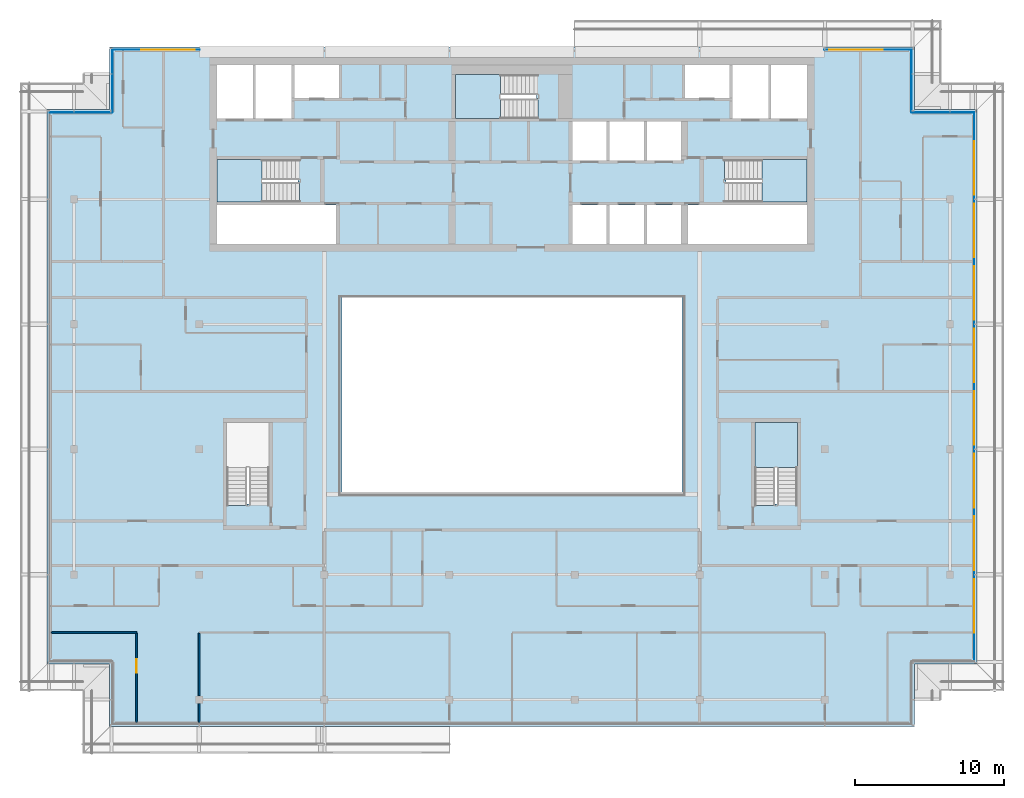
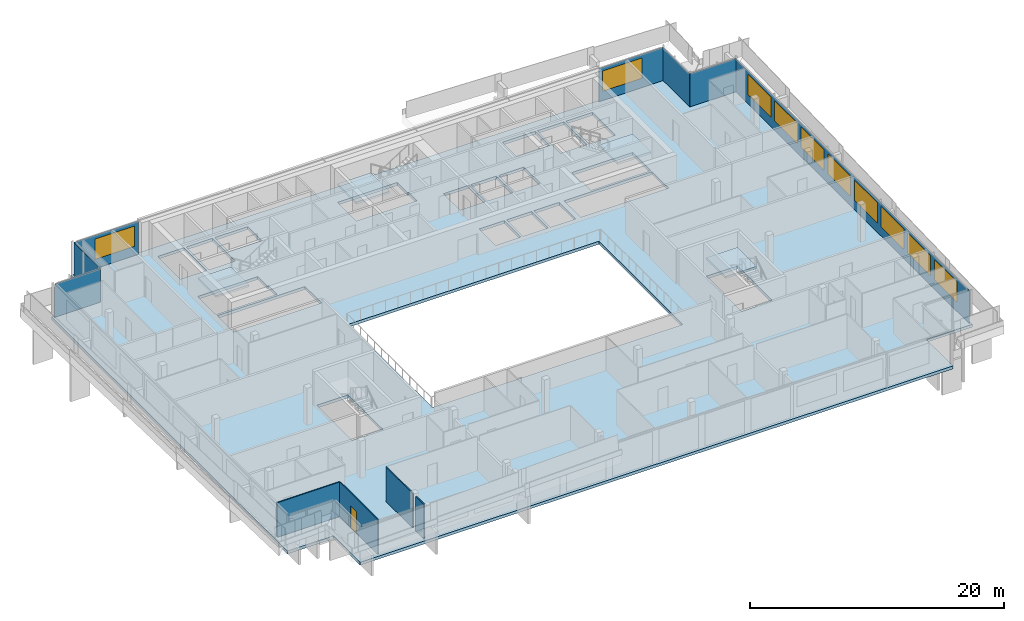
# One storey, part 14 of 27: 10 windows, 7 plates, 5 slabs, 4 walls, 1 door, 11 openings, 10 elements without a shape of their own.
"""IFC4 building model written with IfcOpenShell, lengths in metres."""

from ifc_helpers import new_model, si_unit, direction, frame, frame_2d, origin, place, context, subcontext, project, spatial, polyline, rectangle, outline, extrude, material, layer, layer_set, type_object, element, fill, aggregate, save


model = new_model("IFC4")

# Units and contexts
model_context = context("Model", 3, precision=1e-05, world=origin(), true_north=direction((0.0, 1.0)))
body_context = subcontext(model_context, "Body", "Model", "MODEL_VIEW")
ifc_project = project(units=[si_unit("LENGTHUNIT", "METRE"), si_unit("AREAUNIT", "SQUARE_METRE"), si_unit("VOLUMEUNIT", "CUBIC_METRE"), si_unit("PLANEANGLEUNIT", "RADIAN"), si_unit("MASSUNIT", "GRAM", prefix="KILO")], contexts=[model_context])

# Site, building, storey
site_placement = place(None, origin())
site = spatial("IfcSite", under=ifc_project, at=site_placement, CompositionType="ELEMENT")
building_placement = place(site_placement, origin())
building = spatial("IfcBuilding", under=site, at=building_placement, Name="Saffron Gate Tower", CompositionType="ELEMENT")
storey_placement = place(building_placement, frame((0.0, 0.0, 274.35009765625)))
storey = spatial("IfcBuildingStorey", under=building, at=storey_placement, Name="L66", CompositionType="ELEMENT", Elevation=274.35009765625)

# Curtain wall, plate, openings, windows
ifc_material_1 = material(Name="Aluminium, bronze anodised", Category="aluminium")
curtain_wall_type_1 = type_object("IfcCurtainWallType", Name="CWS2 curtain wall side facades", PredefinedType="NOTDEFINED", material=ifc_material_1)
curtain_wall_1_placement = place(storey_placement, origin())
curtain_wall_1 = element("IfcCurtainWall", 1, at=curtain_wall_1_placement, inside=storey, type_object=curtain_wall_type_1, Name="CWS2 run 4", PredefinedType="NOTDEFINED")
ifc_material_2 = material(Name="Fritted bronze-tinted laminated glass", Category="glass")
ifc_layer_1 = layer(ifc_material_2, 0.028076171875)
ifc_layer_set_1 = layer_set([ifc_layer_1], Name="CWS2 fixed glass")
plate_type_1 = type_object("IfcPlateType", Name="CWS2 fixed glass", PredefinedType="CURTAIN_PANEL", material=ifc_layer_set_1)
plate_1_placement = place(storey_placement, frame((118.6259765625, 34.387939453125, 0.0), z_axis=(0.0, 0.0, 1.0), x_axis=(0.0, 1.0, 0.0)))
plate_1 = element("IfcPlate", 2, at=plate_1_placement, type_object=plate_type_1, Name="CWS2 glass panel", PredefinedType="CURTAIN_PANEL", context=body_context, shape_type="SweptSolid", body=[
    extrude(rectangle(XDim=36.823974609375, YDim=0.028076171875, at=frame_2d((18.412109375, 0.0))), origin(), (0.0, 0.0, 1.0), 3.199951171875),
])
opening_1_placement = place(plate_1_placement, frame((1.912109375, 0.0, 0.89990234375)))
opening_1 = element("IfcOpeningElement", 3, at=opening_1_placement, cuts=plate_1, Name="Opening W1", PredefinedType="OPENING", context=body_context, shape_type="SweptSolid", body=[
    extrude(rectangle(XDim=3.60009765625, YDim=1.949951171875, at=frame_2d((1.800048828125, 0.97509765625))), frame((0.0, 0.02392578125, 0.0), z_axis=(0.0, -1.0, 0.0), x_axis=(1.0, 0.0, 0.0)), (0.0, 0.0, 1.0), 0.048095703125),
])
opening_2_placement = place(plate_1_placement, frame((6.112060546875, 0.0, 0.89990234375)))
opening_2 = element("IfcOpeningElement", 4, at=opening_2_placement, cuts=plate_1, Name="Opening W1", PredefinedType="OPENING", context=body_context, shape_type="SweptSolid", body=[
    extrude(rectangle(XDim=3.60009765625, YDim=1.949951171875, at=frame_2d((1.800048828125, 0.97509765625))), frame((0.0, 0.02392578125, 0.0), z_axis=(0.0, -1.0, 0.0), x_axis=(1.0, 0.0, 0.0)), (0.0, 0.0, 1.0), 0.048095703125),
])
opening_3_placement = place(plate_1_placement, frame((10.31201171875, 0.0, 0.89990234375)))
opening_3 = element("IfcOpeningElement", 5, at=opening_3_placement, cuts=plate_1, Name="Opening W1", PredefinedType="OPENING", context=body_context, shape_type="SweptSolid", body=[
    extrude(rectangle(XDim=3.60009765625, YDim=1.949951171875, at=frame_2d((1.800048828125, 0.97509765625))), frame((0.0, 0.02392578125, 0.0), z_axis=(0.0, -1.0, 0.0), x_axis=(1.0, 0.0, 0.0)), (0.0, 0.0, 1.0), 0.048095703125),
])
opening_4_placement = place(plate_1_placement, frame((14.511962890625, 0.0, 0.89990234375)))
opening_4 = element("IfcOpeningElement", 6, at=opening_4_placement, cuts=plate_1, Name="Opening W1", PredefinedType="OPENING", context=body_context, shape_type="SweptSolid", body=[
    extrude(rectangle(XDim=3.60009765625, YDim=1.949951171875, at=frame_2d((1.800048828125, 0.97509765625))), frame((0.0, 0.02392578125, 0.0), z_axis=(0.0, -1.0, 0.0), x_axis=(1.0, 0.0, 0.0)), (0.0, 0.0, 1.0), 0.048095703125),
])
opening_5_placement = place(plate_1_placement, frame((18.7119140625, 0.0, 0.89990234375)))
opening_5 = element("IfcOpeningElement", 7, at=opening_5_placement, cuts=plate_1, Name="Opening W1", PredefinedType="OPENING", context=body_context, shape_type="SweptSolid", body=[
    extrude(rectangle(XDim=3.60009765625, YDim=1.949951171875, at=frame_2d((1.800048828125, 0.97509765625))), frame((0.0, 0.02392578125, 0.0), z_axis=(0.0, -1.0, 0.0), x_axis=(1.0, 0.0, 0.0)), (0.0, 0.0, 1.0), 0.048095703125),
])
opening_6_placement = place(plate_1_placement, frame((22.912109375, 0.0, 0.89990234375)))
opening_6 = element("IfcOpeningElement", 8, at=opening_6_placement, cuts=plate_1, Name="Opening W1", PredefinedType="OPENING", context=body_context, shape_type="SweptSolid", body=[
    extrude(rectangle(XDim=3.60009765625, YDim=1.949951171875, at=frame_2d((1.800048828125, 0.97509765625))), frame((0.0, 0.02392578125, 0.0), z_axis=(0.0, -1.0, 0.0), x_axis=(1.0, 0.0, 0.0)), (0.0, 0.0, 1.0), 0.048095703125),
])
opening_7_placement = place(plate_1_placement, frame((27.112060546875, 0.0, 0.89990234375)))
opening_7 = element("IfcOpeningElement", 9, at=opening_7_placement, cuts=plate_1, Name="Opening W1", PredefinedType="OPENING", context=body_context, shape_type="SweptSolid", body=[
    extrude(rectangle(XDim=3.60009765625, YDim=1.949951171875, at=frame_2d((1.800048828125, 0.97509765625))), frame((0.0, 0.02392578125, 0.0), z_axis=(0.0, -1.0, 0.0), x_axis=(1.0, 0.0, 0.0)), (0.0, 0.0, 1.0), 0.048095703125),
])
opening_8_placement = place(plate_1_placement, frame((31.31201171875, 0.0, 0.89990234375)))
opening_8 = element("IfcOpeningElement", 10, at=opening_8_placement, cuts=plate_1, Name="Opening W1", PredefinedType="OPENING", context=body_context, shape_type="SweptSolid", body=[
    extrude(rectangle(XDim=3.60009765625, YDim=1.949951171875, at=frame_2d((1.800048828125, 0.97509765625))), frame((0.0, 0.02392578125, 0.0), z_axis=(0.0, -1.0, 0.0), x_axis=(1.0, 0.0, 0.0)), (0.0, 0.0, 1.0), 0.048095703125),
])
ifc_material_3 = material(Name="Fritted bronze-tinted laminated glass in bronze frame", Category="glass")
ifc_layer_2 = layer(ifc_material_3, 0.06005859375)
ifc_layer_set_2 = layer_set([ifc_layer_2], Name="W1 operable panel 3600x1950")
window_type = type_object("IfcWindowType", Name="W1 operable panel 3600x1950", PartitioningType="DOUBLE_PANEL_HORIZONTAL", PredefinedType="WINDOW", material=ifc_layer_set_2)
window_1_placement = place(opening_1_placement, origin())
window_1 = element("IfcWindow", 11, at=window_1_placement, type_object=window_type, Name="W1 operable panel", OverallHeight=1.949951171875, OverallWidth=3.60009765625, PartitioningType="SINGLE_PANEL", PredefinedType="WINDOW", context=body_context, shape_type="SweptSolid", body=[
    extrude(rectangle(XDim=3.60009765625, YDim=1.949951171875, at=frame_2d((1.800048828125, 0.97509765625))), frame((0.0, 0.013671875, 0.0), z_axis=(0.0, -1.0, 0.0), x_axis=(1.0, 0.0, 0.0)), (0.0, 0.0, 1.0), 0.027587890625),
])
fill(opening_1, window_1)
window_2_placement = place(opening_2_placement, origin())
window_2 = element("IfcWindow", 12, at=window_2_placement, type_object=window_type, Name="W1 operable panel", OverallHeight=1.949951171875, OverallWidth=3.60009765625, PartitioningType="SINGLE_PANEL", PredefinedType="WINDOW", context=body_context, shape_type="SweptSolid", body=[
    extrude(rectangle(XDim=3.60009765625, YDim=1.949951171875, at=frame_2d((1.800048828125, 0.97509765625))), frame((0.0, 0.013671875, 0.0), z_axis=(0.0, -1.0, 0.0), x_axis=(1.0, 0.0, 0.0)), (0.0, 0.0, 1.0), 0.027587890625),
])
fill(opening_2, window_2)
window_3_placement = place(opening_3_placement, origin())
window_3 = element("IfcWindow", 13, at=window_3_placement, type_object=window_type, Name="W1 operable panel", OverallHeight=1.949951171875, OverallWidth=3.60009765625, PartitioningType="SINGLE_PANEL", PredefinedType="WINDOW", context=body_context, shape_type="SweptSolid", body=[
    extrude(rectangle(XDim=3.60009765625, YDim=1.949951171875, at=frame_2d((1.800048828125, 0.97509765625))), frame((0.0, 0.013671875, 0.0), z_axis=(0.0, -1.0, 0.0), x_axis=(1.0, 0.0, 0.0)), (0.0, 0.0, 1.0), 0.027587890625),
])
fill(opening_3, window_3)
window_4_placement = place(opening_4_placement, origin())
window_4 = element("IfcWindow", 14, at=window_4_placement, type_object=window_type, Name="W1 operable panel", OverallHeight=1.949951171875, OverallWidth=3.60009765625, PartitioningType="SINGLE_PANEL", PredefinedType="WINDOW", context=body_context, shape_type="SweptSolid", body=[
    extrude(rectangle(XDim=3.60009765625, YDim=1.949951171875, at=frame_2d((1.800048828125, 0.97509765625))), frame((0.0, 0.013671875, 0.0), z_axis=(0.0, -1.0, 0.0), x_axis=(1.0, 0.0, 0.0)), (0.0, 0.0, 1.0), 0.027587890625),
])
fill(opening_4, window_4)
window_5_placement = place(opening_5_placement, origin())
window_5 = element("IfcWindow", 15, at=window_5_placement, type_object=window_type, Name="W1 operable panel", OverallHeight=1.949951171875, OverallWidth=3.60009765625, PartitioningType="SINGLE_PANEL", PredefinedType="WINDOW", context=body_context, shape_type="SweptSolid", body=[
    extrude(rectangle(XDim=3.60009765625, YDim=1.949951171875, at=frame_2d((1.800048828125, 0.97509765625))), frame((0.0, 0.013671875, 0.0), z_axis=(0.0, -1.0, 0.0), x_axis=(1.0, 0.0, 0.0)), (0.0, 0.0, 1.0), 0.027587890625),
])
fill(opening_5, window_5)
window_6_placement = place(opening_6_placement, origin())
window_6 = element("IfcWindow", 16, at=window_6_placement, type_object=window_type, Name="W1 operable panel", OverallHeight=1.949951171875, OverallWidth=3.60009765625, PartitioningType="SINGLE_PANEL", PredefinedType="WINDOW", context=body_context, shape_type="SweptSolid", body=[
    extrude(rectangle(XDim=3.60009765625, YDim=1.949951171875, at=frame_2d((1.800048828125, 0.97509765625))), frame((0.0, 0.013671875, 0.0), z_axis=(0.0, -1.0, 0.0), x_axis=(1.0, 0.0, 0.0)), (0.0, 0.0, 1.0), 0.027587890625),
])
fill(opening_6, window_6)
window_7_placement = place(opening_7_placement, origin())
window_7 = element("IfcWindow", 17, at=window_7_placement, type_object=window_type, Name="W1 operable panel", OverallHeight=1.949951171875, OverallWidth=3.60009765625, PartitioningType="SINGLE_PANEL", PredefinedType="WINDOW", context=body_context, shape_type="SweptSolid", body=[
    extrude(rectangle(XDim=3.60009765625, YDim=1.949951171875, at=frame_2d((1.800048828125, 0.97509765625))), frame((0.0, 0.013671875, 0.0), z_axis=(0.0, -1.0, 0.0), x_axis=(1.0, 0.0, 0.0)), (0.0, 0.0, 1.0), 0.027587890625),
])
fill(opening_7, window_7)
window_8_placement = place(opening_8_placement, origin())
window_8 = element("IfcWindow", 18, at=window_8_placement, type_object=window_type, Name="W1 operable panel", OverallHeight=1.949951171875, OverallWidth=3.60009765625, PartitioningType="SINGLE_PANEL", PredefinedType="WINDOW", context=body_context, shape_type="SweptSolid", body=[
    extrude(rectangle(XDim=3.60009765625, YDim=1.949951171875, at=frame_2d((1.800048828125, 0.97509765625))), frame((0.0, 0.013671875, 0.0), z_axis=(0.0, -1.0, 0.0), x_axis=(1.0, 0.0, 0.0)), (0.0, 0.0, 1.0), 0.027587890625),
])
fill(opening_8, window_8)
aggregate(curtain_wall_1, [plate_1, window_1, window_2, window_3, window_4, window_5, window_6, window_7, window_8])

# Curtain wall, plates, openings, windows
curtain_wall_type_2 = type_object("IfcCurtainWallType", Name="CWS3 curtain wall rear facade", PredefinedType="NOTDEFINED", material=ifc_material_1)
curtain_wall_2_placement = place(storey_placement, origin())
curtain_wall_2 = element("IfcCurtainWall", 19, at=curtain_wall_2_placement, inside=storey, type_object=curtain_wall_type_2, Name="CWS3 run 7", PredefinedType="NOTDEFINED")
ifc_material_4 = material(Name="Fritted grey-tinted laminated glass", Category="glass")
ifc_layer_3 = layer(ifc_material_4, 0.028076171875)
ifc_layer_set_3 = layer_set([ifc_layer_3], Name="CWS3 fixed glass")
plate_type_2 = type_object("IfcPlateType", Name="CWS3 fixed glass", PredefinedType="CURTAIN_PANEL", material=ifc_layer_set_3)
plate_2_placement = place(storey_placement, frame((114.412109375, 75.426025390625, 0.0), z_axis=(0.0, 0.0, 1.0), x_axis=(-1.0, 0.0, 0.0)))
plate_2 = element("IfcPlate", 20, at=plate_2_placement, type_object=plate_type_2, Name="CWS3 glass panel", PredefinedType="CURTAIN_PANEL", context=body_context, shape_type="SweptSolid", body=[
    extrude(rectangle(XDim=5.84716796875, YDim=0.028076171875, at=frame_2d((2.923583984375, 0.0))), origin(), (0.0, 0.0, 1.0), 3.199951171875),
])
opening_9_placement = place(plate_2_placement, frame((1.912109375, 0.0, 0.89990234375)))
opening_9 = element("IfcOpeningElement", 21, at=opening_9_placement, cuts=plate_2, Name="Opening W1", PredefinedType="OPENING", context=body_context, shape_type="SweptSolid", body=[
    extrude(rectangle(XDim=3.60009765625, YDim=1.949951171875, at=frame_2d((1.800048828125, 0.97509765625))), frame((0.0, 0.02392578125, 0.0), z_axis=(0.0, -1.0, 0.0), x_axis=(1.0, 0.0, 0.0)), (0.0, 0.0, 1.0), 0.048095703125),
])
window_9_placement = place(opening_9_placement, origin())
window_9 = element("IfcWindow", 22, at=window_9_placement, type_object=window_type, Name="W1 operable panel", OverallHeight=1.949951171875, OverallWidth=3.60009765625, PartitioningType="SINGLE_PANEL", PredefinedType="WINDOW", context=body_context, shape_type="SweptSolid", body=[
    extrude(rectangle(XDim=3.60009765625, YDim=1.949951171875, at=frame_2d((1.800048828125, 0.97509765625))), frame((0.0, 0.013671875, 0.0), z_axis=(0.0, -1.0, 0.0), x_axis=(1.0, 0.0, 0.0)), (0.0, 0.0, 1.0), 0.027587890625),
])
fill(opening_9, window_9)
plate_3_placement = place(storey_placement, frame((66.635009765625, 75.426025390625, 0.0), z_axis=(0.0, 0.0, 1.0), x_axis=(-1.0, 0.0, 0.0)))
plate_3 = element("IfcPlate", 23, at=plate_3_placement, type_object=plate_type_2, Name="CWS3 glass panel", PredefinedType="CURTAIN_PANEL", context=body_context, shape_type="SweptSolid", body=[
    extrude(rectangle(XDim=5.846923828125, YDim=0.028076171875, at=frame_2d((2.92333984375, 0.0))), origin(), (0.0, 0.0, 1.0), 3.199951171875),
])
opening_10_placement = place(plate_3_placement, frame((0.3349609375, 0.0, 0.89990234375)))
opening_10 = element("IfcOpeningElement", 24, at=opening_10_placement, cuts=plate_3, Name="Opening W1", PredefinedType="OPENING", context=body_context, shape_type="SweptSolid", body=[
    extrude(rectangle(XDim=3.60009765625, YDim=1.949951171875, at=frame_2d((1.800048828125, 0.97509765625))), frame((0.0, 0.02392578125, 0.0), z_axis=(0.0, -1.0, 0.0), x_axis=(1.0, 0.0, 0.0)), (0.0, 0.0, 1.0), 0.048095703125),
])
window_10_placement = place(opening_10_placement, origin())
window_10 = element("IfcWindow", 25, at=window_10_placement, type_object=window_type, Name="W1 operable panel", OverallHeight=1.949951171875, OverallWidth=3.60009765625, PartitioningType="SINGLE_PANEL", PredefinedType="WINDOW", context=body_context, shape_type="SweptSolid", body=[
    extrude(rectangle(XDim=3.60009765625, YDim=1.949951171875, at=frame_2d((1.800048828125, 0.97509765625))), frame((0.0, 0.013671875, 0.0), z_axis=(0.0, -1.0, 0.0), x_axis=(1.0, 0.0, 0.0)), (0.0, 0.0, 1.0), 0.027587890625),
])
fill(opening_10, window_10)
aggregate(curtain_wall_2, [plate_2, plate_3, window_9, window_10])

# Curtain wall, plate
curtain_wall_type_3 = type_object("IfcCurtainWallType", Name="CWS4 curtain wall corner returns", PredefinedType="NOTDEFINED", material=ifc_material_1)
curtain_wall_3_placement = place(storey_placement, origin())
curtain_wall_3 = element("IfcCurtainWall", 26, at=curtain_wall_3_placement, inside=storey, type_object=curtain_wall_type_3, Name="CWS4 run 5", PredefinedType="NOTDEFINED")
ifc_layer_4 = layer(ifc_material_2, 0.028076171875)
ifc_layer_set_4 = layer_set([ifc_layer_4], Name="CWS4 fixed glass")
plate_type_3 = type_object("IfcPlateType", Name="CWS4 fixed glass", PredefinedType="CURTAIN_PANEL", material=ifc_layer_set_4)
plate_4_placement = place(storey_placement, frame((118.612060546875, 71.22607421875, 0.0), z_axis=(0.0, 0.0, 1.0), x_axis=(-1.0, 0.0, 0.0)))
plate_4 = element("IfcPlate", 27, at=plate_4_placement, type_object=plate_type_3, Name="CWS4 glass panel", PredefinedType="CURTAIN_PANEL", context=body_context, shape_type="SweptSolid", body=[
    extrude(rectangle(XDim=4.172119140625, YDim=0.028076171875, at=frame_2d((2.0859375, 0.0))), origin(), (0.0, 0.0, 1.0), 3.199951171875),
])
aggregate(curtain_wall_3, [plate_4])

curtain_wall_4_placement = place(storey_placement, origin())
curtain_wall_4 = element("IfcCurtainWall", 28, at=curtain_wall_4_placement, inside=storey, type_object=curtain_wall_type_3, Name="CWS4 run 6", PredefinedType="NOTDEFINED")
plate_5_placement = place(storey_placement, frame((114.426025390625, 71.239990234375, 0.0), z_axis=(0.0, 0.0, 1.0), x_axis=(0.0, 1.0, 0.0)))
plate_5 = element("IfcPlate", 29, at=plate_5_placement, type_object=plate_type_3, Name="CWS4 glass panel", PredefinedType="CURTAIN_PANEL", context=body_context, shape_type="SweptSolid", body=[
    extrude(rectangle(XDim=4.172119140625, YDim=0.028076171875, at=frame_2d((2.0859375, 0.0))), origin(), (0.0, 0.0, 1.0), 3.199951171875),
])
aggregate(curtain_wall_4, [plate_5])

curtain_wall_5_placement = place(storey_placement, origin())
curtain_wall_5 = element("IfcCurtainWall", 30, at=curtain_wall_5_placement, inside=storey, type_object=curtain_wall_type_3, Name="CWS4 run 8", PredefinedType="NOTDEFINED")
plate_6_placement = place(storey_placement, frame((60.77392578125, 75.412109375, 0.0), z_axis=(0.0, 0.0, 1.0), x_axis=(0.0, -1.0, 0.0)))
plate_6 = element("IfcPlate", 31, at=plate_6_placement, type_object=plate_type_3, Name="CWS4 glass panel", PredefinedType="CURTAIN_PANEL", context=body_context, shape_type="SweptSolid", body=[
    extrude(rectangle(XDim=4.172119140625, YDim=0.028076171875, at=frame_2d((2.0859375, 0.0))), origin(), (0.0, 0.0, 1.0), 3.199951171875),
])
aggregate(curtain_wall_5, [plate_6])

curtain_wall_6_placement = place(storey_placement, origin())
curtain_wall_6 = element("IfcCurtainWall", 32, at=curtain_wall_6_placement, inside=storey, type_object=curtain_wall_type_3, Name="CWS4 run 9", PredefinedType="NOTDEFINED")
plate_7_placement = place(storey_placement, frame((60.760009765625, 71.22607421875, 0.0), z_axis=(0.0, 0.0, 1.0), x_axis=(-1.0, 0.0, 0.0)))
plate_7 = element("IfcPlate", 33, at=plate_7_placement, type_object=plate_type_3, Name="CWS4 glass panel", PredefinedType="CURTAIN_PANEL", context=body_context, shape_type="SweptSolid", body=[
    extrude(rectangle(XDim=4.172119140625, YDim=0.028076171875, at=frame_2d((2.0859375, 0.0))), origin(), (0.0, 0.0, 1.0), 3.199951171875),
])
aggregate(curtain_wall_6, [plate_7])

# Slab
ifc_material_5 = material(Name="Concrete C40", Category="concrete")
ifc_layer_5 = layer(ifc_material_5, 0.280029296875)
ifc_layer_set_5 = layer_set([ifc_layer_5], Name="S2 FLOOR SLAB 280 CONCRETE C40")
slab_type_1 = type_object("IfcSlabType", Name="S2 FLOOR SLAB 280 CONCRETE C40", PredefinedType="FLOOR", material=ifc_layer_set_5)
slab_1_placement = place(storey_placement, frame((0.0, 0.0, -0.280029296875)))
element("IfcSlab", 34, at=slab_1_placement, inside=storey, type_object=slab_type_1, Name="S2 FLOOR SLAB", PredefinedType="FLOOR", context=body_context, shape_type="SweptSolid", body=[
    extrude(outline(polyline([(56.39990234375, 34.199951171875), (60.60009765625, 34.199951171875), (60.60009765625, 30.0), (114.60009765625, 30.0), (114.60009765625, 34.199951171875), (118.800048828125, 34.199951171875), (118.800048828125, 71.39990234375), (114.60009765625, 71.39990234375), (114.60009765625, 75.60009765625), (60.60009765625, 75.60009765625), (60.60009765625, 71.39990234375), (56.39990234375, 71.39990234375), (56.39990234375, 34.199951171875)]), holes=[polyline([(67.800048828125, 62.39990234375), (67.800048828125, 65.0), (75.800048828125, 65.0), (75.800048828125, 62.39990234375), (67.800048828125, 62.39990234375)]), polyline([(67.800048828125, 65.199951171875), (67.800048828125, 68.050048828125), (73.25, 68.050048828125), (73.25, 66.550048828125), (73.34912109375, 66.550048828125), (73.34912109375, 65.199951171875), (67.800048828125, 65.199951171875)]), polyline([(67.800048828125, 70.800048828125), (67.800048828125, 74.39990234375), (70.199951171875, 74.39990234375), (70.199951171875, 70.800048828125), (67.800048828125, 70.800048828125)]), polyline([(68.449951171875, 44.85107421875), (68.449951171875, 50.39990234375), (71.300048828125, 50.39990234375), (71.300048828125, 44.949951171875), (69.800048828125, 44.949951171875), (69.800048828125, 44.85107421875), (68.449951171875, 44.85107421875)]), polyline([(70.39990234375, 70.800048828125), (70.39990234375, 74.39990234375), (72.800048828125, 74.39990234375), (72.800048828125, 70.800048828125), (70.39990234375, 70.800048828125)]), polyline([(73.0, 72.199951171875), (73.0, 74.39990234375), (76.0, 74.39990234375), (76.0, 72.199951171875), (73.0, 72.199951171875)]), polyline([(76.199951171875, 45.60009765625), (76.199951171875, 58.800048828125), (99.0, 58.800048828125), (99.0, 45.60009765625), (76.199951171875, 45.60009765625)]), polyline([(83.800048828125, 70.800048828125), (83.800048828125, 73.75), (89.25, 73.75), (89.25, 72.14990234375), (89.34912109375, 72.14990234375), (89.34912109375, 70.800048828125), (83.800048828125, 70.800048828125)]), polyline([(91.64990234375, 62.39990234375), (91.64990234375, 65.0), (93.949951171875, 65.0), (93.949951171875, 62.39990234375), (91.64990234375, 62.39990234375)]), polyline([(91.64990234375, 68.0), (91.64990234375, 70.60009765625), (93.949951171875, 70.60009765625), (93.949951171875, 68.0), (91.64990234375, 68.0)]), polyline([(94.14990234375, 62.39990234375), (94.14990234375, 65.0), (96.449951171875, 65.0), (96.449951171875, 62.39990234375), (94.14990234375, 62.39990234375)]), polyline([(94.14990234375, 68.0), (94.14990234375, 70.60009765625), (96.449951171875, 70.60009765625), (96.449951171875, 68.0), (94.14990234375, 68.0)]), polyline([(96.64990234375, 62.39990234375), (96.64990234375, 65.0), (98.949951171875, 65.0), (98.949951171875, 62.39990234375), (96.64990234375, 62.39990234375)]), polyline([(96.64990234375, 68.0), (96.64990234375, 70.60009765625), (98.949951171875, 70.60009765625), (98.949951171875, 68.0), (96.64990234375, 68.0)]), polyline([(99.199951171875, 72.199951171875), (99.199951171875, 74.39990234375), (102.199951171875, 74.39990234375), (102.199951171875, 72.199951171875), (99.199951171875, 72.199951171875)]), polyline([(99.39990234375, 62.39990234375), (99.39990234375, 65.0), (107.39990234375, 65.0), (107.39990234375, 62.39990234375), (99.39990234375, 62.39990234375)]), polyline([(101.85107421875, 66.699951171875), (101.85107421875, 68.050048828125), (107.39990234375, 68.050048828125), (107.39990234375, 65.199951171875), (101.949951171875, 65.199951171875), (101.949951171875, 66.699951171875), (101.85107421875, 66.699951171875)]), polyline([(102.39990234375, 70.800048828125), (102.39990234375, 74.39990234375), (104.800048828125, 74.39990234375), (104.800048828125, 70.800048828125), (102.39990234375, 70.800048828125)]), polyline([(103.89990234375, 44.85107421875), (103.89990234375, 50.39990234375), (106.75, 50.39990234375), (106.75, 44.949951171875), (105.25, 44.949951171875), (105.25, 44.85107421875), (103.89990234375, 44.85107421875)]), polyline([(105.0, 70.800048828125), (105.0, 74.39990234375), (107.39990234375, 74.39990234375), (107.39990234375, 70.800048828125), (105.0, 70.800048828125)])]), origin(), (0.0, 0.0, 1.0), 0.280029296875),
])

# Stair, slab
stair_type = type_object("IfcStairType", Name="ST7 Stair 1350 wide, 20 risers of 180", PredefinedType="HALF_TURN_STAIR", material=ifc_material_5)
stair_1_placement = place(storey_placement, origin())
stair_1 = element("IfcStair", 35, at=stair_1_placement, inside=storey, type_object=stair_type, Name="L66 Exit stair A", PredefinedType="HALF_TURN_STAIR")
ifc_layer_6 = layer(ifc_material_5, 0.199951171875)
ifc_layer_set_6 = layer_set([ifc_layer_6], Name="SL1 Stair landing 200")
slab_type_2 = type_object("IfcSlabType", Name="SL1 Stair landing 200", PredefinedType="LANDING", material=ifc_layer_set_6)
slab_2_placement = place(storey_placement, frame((0.0, 0.0, 1.599853515625)))
slab_2 = element("IfcSlab", 36, at=slab_2_placement, type_object=slab_type_2, Name="ST-A landing 1", PredefinedType="LANDING", context=body_context, shape_type="SweptSolid", body=[
    extrude(outline(polyline([(70.830078125, 68.050048828125), (67.800048828125, 68.050048828125), (67.800048828125, 65.199951171875), (70.830078125, 65.199951171875), (70.830078125, 68.050048828125)])), origin(), (0.0, 0.0, 1.0), 0.199951171875),
])
aggregate(stair_1, [slab_2])

stair_2_placement = place(storey_placement, origin())
stair_2 = element("IfcStair", 37, at=stair_2_placement, inside=storey, type_object=stair_type, Name="L66 Exit stair B", PredefinedType="HALF_TURN_STAIR")
slab_3_placement = place(storey_placement, frame((0.0, 0.0, 1.599853515625)))
slab_3 = element("IfcSlab", 38, at=slab_3_placement, type_object=slab_type_2, Name="ST-B landing 1", PredefinedType="LANDING", context=body_context, shape_type="SweptSolid", body=[
    extrude(outline(polyline([(104.3701171875, 65.199951171875), (107.39990234375, 65.199951171875), (107.39990234375, 68.050048828125), (104.3701171875, 68.050048828125), (104.3701171875, 65.199951171875)])), origin(), (0.0, 0.0, 1.0), 0.199951171875),
])
aggregate(stair_2, [slab_3])

stair_3_placement = place(storey_placement, origin())
stair_3 = element("IfcStair", 39, at=stair_3_placement, inside=storey, type_object=stair_type, Name="L66 Exit stair C", PredefinedType="HALF_TURN_STAIR")
slab_4_placement = place(storey_placement, frame((0.0, 0.0, 1.599853515625)))
slab_4 = element("IfcSlab", 40, at=slab_4_placement, type_object=slab_type_2, Name="ST-C landing 1", PredefinedType="LANDING", context=body_context, shape_type="SweptSolid", body=[
    extrude(outline(polyline([(86.830078125, 73.75), (83.800048828125, 73.75), (83.800048828125, 70.800048828125), (86.830078125, 70.800048828125), (86.830078125, 73.75)])), origin(), (0.0, 0.0, 1.0), 0.199951171875),
])
aggregate(stair_3, [slab_4])

stair_4_placement = place(storey_placement, origin())
stair_4 = element("IfcStair", 41, at=stair_4_placement, inside=storey, type_object=stair_type, Name="L66 Exit stair E", PredefinedType="HALF_TURN_STAIR")
slab_5_placement = place(storey_placement, frame((0.0, 0.0, 1.599853515625)))
slab_5 = element("IfcSlab", 42, at=slab_5_placement, type_object=slab_type_2, Name="ST-E landing 1", PredefinedType="LANDING", context=body_context, shape_type="SweptSolid", body=[
    extrude(outline(polyline([(106.75, 47.3701171875), (106.75, 50.39990234375), (103.89990234375, 50.39990234375), (103.89990234375, 47.3701171875), (106.75, 47.3701171875)])), origin(), (0.0, 0.0, 1.0), 0.199951171875),
])
aggregate(stair_4, [slab_5])

# Wall
ifc_material_6 = material(Name="Plasterboard on steel studs", Category="steel")
ifc_layer_7 = layer(ifc_material_6, 0.10009765625)
ifc_layer_set_7 = layer_set([ifc_layer_7], Name="PW1 Partition 100")
wall_type = type_object("IfcWallType", Name="PW1 Partition 100", PredefinedType="PARTITIONING", material=ifc_layer_set_7)
wall_1_placement = place(storey_placement, frame((56.679931640625, 36.300048828125, 0.0), z_axis=(0.0, 0.0, 1.0), x_axis=(1.0, 0.0, 0.0)))
element("IfcWall", 43, at=wall_1_placement, inside=storey, type_object=wall_type, Name="Partition E3-1", PredefinedType="PARTITIONING", context=body_context, shape_type="SweptSolid", body=[
    extrude(rectangle(XDim=5.719970703125, YDim=0.10009765625, at=frame_2d((2.85986328125, 0.0))), origin(), (0.0, 0.0, 1.0), 3.31982421875),
])

# Wall, opening, door
wall_2_placement = place(storey_placement, frame((62.39990234375, 30.280029296875, 0.0), z_axis=(0.0, 0.0, 1.0), x_axis=(0.0, 1.0, 0.0)))
wall_2 = element("IfcWall", 44, at=wall_2_placement, inside=storey, type_object=wall_type, Name="Partition E3-35", PredefinedType="PARTITIONING", context=body_context, shape_type="SweptSolid", body=[
    extrude(rectangle(XDim=5.969970703125, YDim=0.10009765625, at=frame_2d((2.98486328125, 0.0))), origin(), (0.0, 0.0, 1.0), 3.31982421875),
])
opening_11_placement = place(wall_2_placement, frame((3.338623046875, 0.0, 0.0)))
opening_11 = element("IfcOpeningElement", 45, at=opening_11_placement, cuts=wall_2, Name="Opening E3-8", PredefinedType="OPENING", context=body_context, shape_type="SweptSolid", body=[
    extrude(rectangle(XDim=0.89990234375, YDim=2.10009765625, at=frame_2d((0.449951171875, 1.050048828125))), frame((0.0, 0.06005859375, 0.0), z_axis=(0.0, -1.0, 0.0), x_axis=(1.0, 0.0, 0.0)), (0.0, 0.0, 1.0), 0.1201171875),
])
ifc_material_7 = material(Name="Timber door set", Category="wood")
door_type = type_object("IfcDoorType", Name="RD1 Room door 900x2100", OperationType="NOTDEFINED", PredefinedType="DOOR", material=ifc_material_7)
door_placement = place(opening_11_placement, origin())
door = element("IfcDoor", 46, at=door_placement, inside=storey, type_object=door_type, Name="Door E3-8", OperationType="SINGLE_SWING_RIGHT", OverallHeight=2.10009765625, OverallWidth=0.89990234375, PredefinedType="DOOR", context=body_context, shape_type="SweptSolid", body=[
    extrude(rectangle(XDim=0.89990234375, YDim=2.10009765625, at=frame_2d((0.449951171875, 1.050048828125))), frame((0.0, 0.02490234375, 0.0), z_axis=(0.0, -1.0, 0.0), x_axis=(1.0, 0.0, 0.0)), (0.0, 0.0, 1.0), 0.050048828125),
])
fill(opening_11, door)

# Walls
wall_3_placement = place(storey_placement, frame((66.60009765625, 31.530029296875, 0.0), z_axis=(0.0, 0.0, 1.0), x_axis=(0.0, -1.0, 0.0)))
element("IfcWall", 47, at=wall_3_placement, inside=storey, type_object=wall_type, Name="Partition E3-41", PredefinedType="PARTITIONING", context=body_context, shape_type="SweptSolid", body=[
    extrude(rectangle(XDim=1.25, YDim=0.10009765625, at=frame_2d((0.625, 0.0))), origin(), (0.0, 0.0, 1.0), 3.31982421875),
])
wall_4_placement = place(storey_placement, frame((66.60009765625, 36.25, 0.0), z_axis=(0.0, 0.0, 1.0), x_axis=(0.0, -1.0, 0.0)))
element("IfcWall", 48, at=wall_4_placement, inside=storey, type_object=wall_type, Name="Partition E3-42", PredefinedType="PARTITIONING", context=body_context, shape_type="SweptSolid", body=[
    extrude(rectangle(XDim=4.179931640625, YDim=0.10009765625, at=frame_2d((2.08984375, 0.0))), origin(), (0.0, 0.0, 1.0), 3.31982421875),
])

save(model, "model.ifc")
